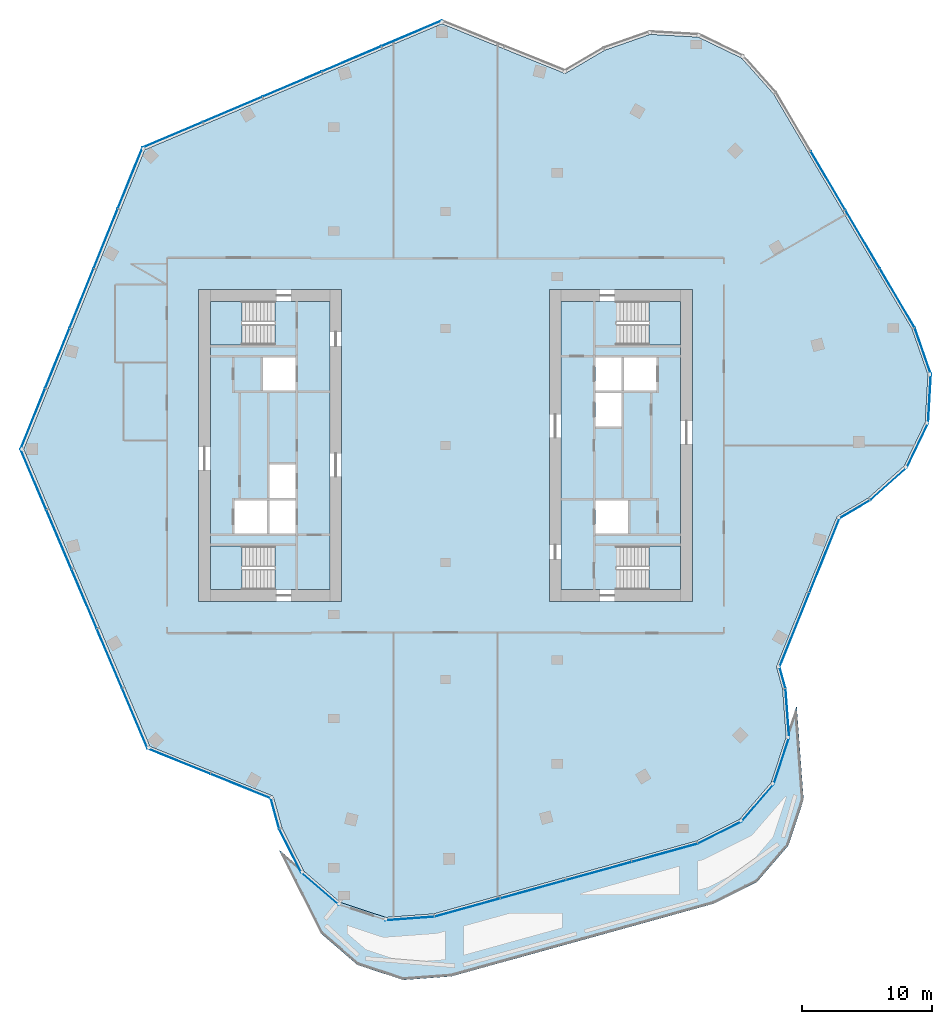
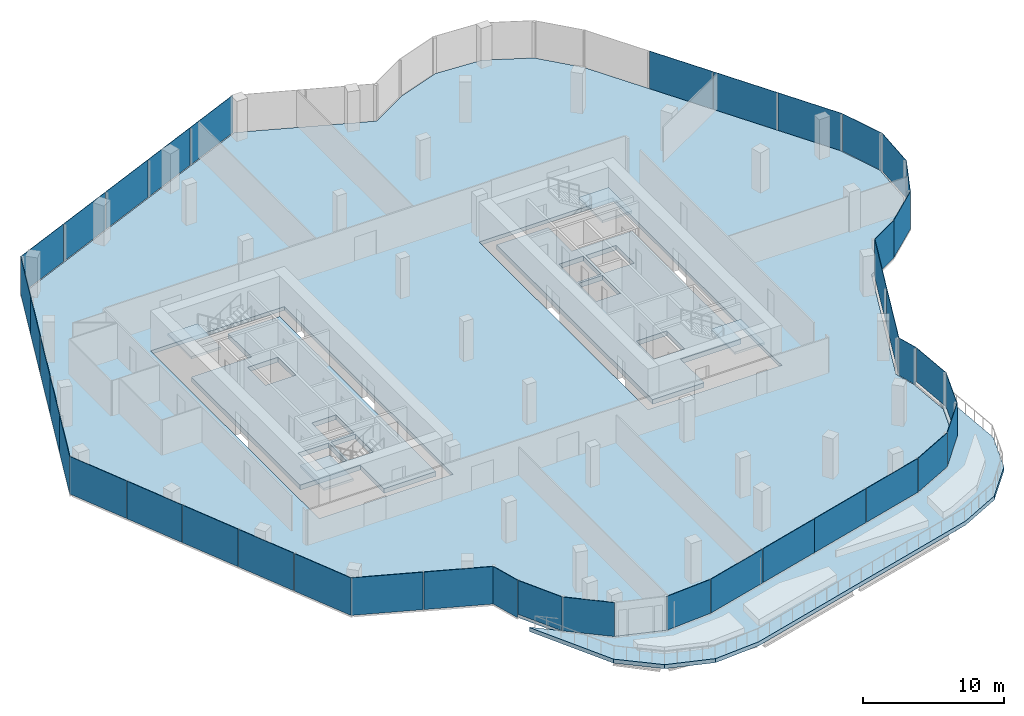
# One storey, part 10 of 16: 40 plates, 8 slabs, 25 elements without a shape of their own.
"""IFC4 building model written with IfcOpenShell, lengths in metres."""

from ifc_helpers import new_model, si_unit, direction, frame, origin, origin_2d, place, context, subcontext, project, spatial, polyline, rectangle, outline, extrude, material, layer, layer_set, type_object, element, aggregate, save


model = new_model("IFC4")

# Units and contexts
model_context = context("Model", 3, precision=1e-05, world=origin(), true_north=direction((0.0, 1.0)))
body_context = subcontext(model_context, "Body", "Model", "MODEL_VIEW")
ifc_project = project(units=[si_unit("LENGTHUNIT", "METRE"), si_unit("AREAUNIT", "SQUARE_METRE"), si_unit("VOLUMEUNIT", "CUBIC_METRE"), si_unit("PLANEANGLEUNIT", "RADIAN"), si_unit("MASSUNIT", "GRAM", prefix="KILO")], contexts=[model_context])

# Site, building, storey
site_placement = place(None, origin())
site = spatial("IfcSite", under=ifc_project, at=site_placement, CompositionType="ELEMENT")
building_placement = place(site_placement, origin())
building = spatial("IfcBuilding", under=site, at=building_placement, Name="Orlundy Tower", CompositionType="ELEMENT")
storey_placement = place(building_placement, frame((0.0, 0.0, 292.89990234375)))
storey = spatial("IfcBuildingStorey", under=building, at=storey_placement, Name="L78", CompositionType="ELEMENT", Elevation=292.89990234375)

# Curtain wall, plate
ifc_material_1 = material(Name="Aluminium bronze anodised", Category="aluminium")
curtain_wall_type = type_object("IfcCurtainWallType", Name="CW6 wall", PredefinedType="NOTDEFINED", material=ifc_material_1)
curtain_wall_1_placement = place(storey_placement, origin())
curtain_wall_1 = element("IfcCurtainWall", 1, at=curtain_wall_1_placement, inside=storey, type_object=curtain_wall_type, Name="CW6 run 00", PredefinedType="NOTDEFINED")
ifc_material_2 = material(Name="Tinted glass", Category="glass")
ifc_layer_1 = layer(ifc_material_2, 0.035888671875)
ifc_layer_set_1 = layer_set([ifc_layer_1], Name="CW6 glass panel 36")
plate_type = type_object("IfcPlateType", Name="CW6 glass panel 36", PredefinedType="CURTAIN_PANEL", material=ifc_layer_set_1)
plate_1_placement = place(storey_placement, frame((31.497314453125, -4.91650390625, -0.15966796875), z_axis=(0.0, 0.0, 1.0), x_axis=(-0.861647850116, -0.507506632853, 0.0)))
plate_1 = element("IfcPlate", 2, at=plate_1_placement, type_object=plate_type, Name="CW6 panel", PredefinedType="CURTAIN_PANEL", context=body_context, shape_type="SweptSolid", body=[
    extrude(rectangle(XDim=2.70556640625, YDim=0.035888671875, at=origin_2d()), origin(), (0.0, 0.0, 1.0), 3.260009765625),
])
aggregate(curtain_wall_1, [plate_1])

# Curtain wall, plates
curtain_wall_2_placement = place(storey_placement, origin())
curtain_wall_2 = element("IfcCurtainWall", 3, at=curtain_wall_2_placement, inside=storey, type_object=curtain_wall_type, Name="CW6 run 01", PredefinedType="NOTDEFINED")
plate_2_placement = place(storey_placement, frame((29.18115234375, -8.45068359375, -0.15966796875), z_axis=(0.0, 0.0, 1.0), x_axis=(-0.37457825326, -0.927195304229, 0.0)))
plate_2 = element("IfcPlate", 4, at=plate_2_placement, type_object=plate_type, Name="CW6 panel", PredefinedType="CURTAIN_PANEL", context=body_context, shape_type="SweptSolid", body=[
    extrude(rectangle(XDim=6.142578125, YDim=0.035888671875, at=origin_2d()), origin(), (0.0, 0.0, 1.0), 3.260009765625),
])
plate_3_placement = place(storey_placement, frame((26.861572265625, -14.192626953125, -0.15966796875), z_axis=(0.0, 0.0, 1.0), x_axis=(-0.37457825326, -0.927195304229, 0.0)))
plate_3 = element("IfcPlate", 5, at=plate_3_placement, type_object=plate_type, Name="CW6 panel", PredefinedType="CURTAIN_PANEL", context=body_context, shape_type="SweptSolid", body=[
    extrude(rectangle(XDim=6.142578125, YDim=0.035888671875, at=origin_2d()), origin(), (0.0, 0.0, 1.0), 3.260009765625),
])
aggregate(curtain_wall_2, [plate_2, plate_3])

# Curtain wall, plate
curtain_wall_3_placement = place(storey_placement, origin())
curtain_wall_3 = element("IfcCurtainWall", 6, at=curtain_wall_3_placement, inside=storey, type_object=curtain_wall_type, Name="CW6 run 02", PredefinedType="NOTDEFINED")
plate_4_placement = place(storey_placement, frame((25.93896484375, -17.86181640625, -0.15966796875), z_axis=(0.0, 0.0, 1.0), x_axis=(0.267383654766, -0.963590152069, 0.0)))
plate_4 = element("IfcPlate", 7, at=plate_4_placement, type_object=plate_type, Name="CW6 panel", PredefinedType="CURTAIN_PANEL", context=body_context, shape_type="SweptSolid", body=[
    extrude(rectangle(XDim=1.705322265625, YDim=0.035888671875, at=origin_2d()), origin(), (0.0, 0.0, 1.0), 3.260009765625),
])
aggregate(curtain_wall_3, [plate_4])

curtain_wall_4_placement = place(storey_placement, origin())
curtain_wall_4 = element("IfcCurtainWall", 8, at=curtain_wall_4_placement, inside=storey, type_object=curtain_wall_type, Name="CW6 run 03", PredefinedType="NOTDEFINED")
plate_5_placement = place(storey_placement, frame((26.314208984375, -20.601806640625, 0.16015625), z_axis=(0.0, 0.0, 1.0), x_axis=(0.073911430304, -0.997264809602, 0.0)))
plate_5 = element("IfcPlate", 9, at=plate_5_placement, type_object=plate_type, Name="CW6 panel", PredefinedType="CURTAIN_PANEL", context=body_context, shape_type="SweptSolid", body=[
    extrude(rectangle(XDim=3.748046875, YDim=0.035888671875, at=origin_2d()), origin(), (0.0, 0.0, 1.0), 2.93994140625),
])
aggregate(curtain_wall_4, [plate_5])

curtain_wall_5_placement = place(storey_placement, origin())
curtain_wall_5 = element("IfcCurtainWall", 10, at=curtain_wall_5_placement, inside=storey, type_object=curtain_wall_type, Name="CW6 run 04", PredefinedType="NOTDEFINED")
plate_6_placement = place(storey_placement, frame((25.8583984375, -24.2724609375, 0.16015625), z_axis=(0.0, 0.0, 1.0), x_axis=(-0.313231470951, -0.949676811134, 0.0)))
plate_6 = element("IfcPlate", 11, at=plate_6_placement, type_object=plate_type, Name="CW6 panel", PredefinedType="CURTAIN_PANEL", context=body_context, shape_type="SweptSolid", body=[
    extrude(rectangle(XDim=3.794921875, YDim=0.035888671875, at=origin_2d()), origin(), (0.0, 0.0, 1.0), 2.93994140625),
])
aggregate(curtain_wall_5, [plate_6])

curtain_wall_6_placement = place(storey_placement, origin())
curtain_wall_6 = element("IfcCurtainWall", 12, at=curtain_wall_6_placement, inside=storey, type_object=curtain_wall_type, Name="CW6 run 05", PredefinedType="NOTDEFINED")
plate_7_placement = place(storey_placement, frame((24.025634765625, -27.511962890625, 0.16015625), z_axis=(0.0, 0.0, 1.0), x_axis=(-0.652678052104, -0.757635374241, 0.0)))
plate_7 = element("IfcPlate", 13, at=plate_7_placement, type_object=plate_type, Name="CW6 panel", PredefinedType="CURTAIN_PANEL", context=body_context, shape_type="SweptSolid", body=[
    extrude(rectangle(XDim=3.794677734375, YDim=0.035888671875, at=origin_2d()), origin(), (0.0, 0.0, 1.0), 2.93994140625),
])
aggregate(curtain_wall_6, [plate_7])

curtain_wall_7_placement = place(storey_placement, origin())
curtain_wall_7 = element("IfcCurtainWall", 14, at=curtain_wall_7_placement, inside=storey, type_object=curtain_wall_type, Name="CW6 run 06", PredefinedType="NOTDEFINED")
plate_8_placement = place(storey_placement, frame((21.114013671875, -29.79248046875, 0.16015625), z_axis=(0.0, 0.0, 1.0), x_axis=(-0.893019858419, -0.450017257968, 0.0)))
plate_8 = element("IfcPlate", 15, at=plate_8_placement, type_object=plate_type, Name="CW6 panel", PredefinedType="CURTAIN_PANEL", context=body_context, shape_type="SweptSolid", body=[
    extrude(rectangle(XDim=3.74755859375, YDim=0.035888671875, at=origin_2d()), origin(), (0.0, 0.0, 1.0), 2.93994140625),
])
aggregate(curtain_wall_7, [plate_8])

# Curtain wall, plates
curtain_wall_8_placement = place(storey_placement, origin())
curtain_wall_8 = element("IfcCurtainWall", 16, at=curtain_wall_8_placement, inside=storey, type_object=curtain_wall_type, Name="CW6 run 07", PredefinedType="NOTDEFINED")
plate_9_placement = place(storey_placement, frame((16.87841796875, -31.3515625, 0.16015625), z_axis=(0.0, 0.0, 1.0), x_axis=(-0.963629710974, -0.267241052476, 0.0)))
plate_9 = element("IfcPlate", 17, at=plate_9_placement, type_object=plate_type, Name="CW6 panel", PredefinedType="CURTAIN_PANEL", context=body_context, shape_type="SweptSolid", body=[
    extrude(rectangle(XDim=5.2216796875, YDim=0.035888671875, at=origin_2d()), origin(), (0.0, 0.0, 1.0), 2.93994140625),
])
plate_10_placement = place(storey_placement, frame((11.808837890625, -32.75732421875, 0.16015625), z_axis=(0.0, 0.0, 1.0), x_axis=(-0.963629710974, -0.267241052476, 0.0)))
plate_10 = element("IfcPlate", 18, at=plate_10_placement, type_object=plate_type, Name="CW6 panel", PredefinedType="CURTAIN_PANEL", context=body_context, shape_type="SweptSolid", body=[
    extrude(rectangle(XDim=5.199951171875, YDim=0.035888671875, at=origin_2d()), origin(), (0.0, 0.0, 1.0), 2.93994140625),
])
plate_11_placement = place(storey_placement, frame((6.749755859375, -34.160400390625, 0.16015625), z_axis=(0.0, 0.0, 1.0), x_axis=(-0.963629710974, -0.267241052476, 0.0)))
plate_11 = element("IfcPlate", 19, at=plate_11_placement, type_object=plate_type, Name="CW6 panel", PredefinedType="CURTAIN_PANEL", context=body_context, shape_type="SweptSolid", body=[
    extrude(rectangle(XDim=5.199951171875, YDim=0.035888671875, at=origin_2d()), origin(), (0.0, 0.0, 1.0), 2.93994140625),
])
plate_12_placement = place(storey_placement, frame((1.680419921875, -35.56640625, 0.16015625), z_axis=(0.0, 0.0, 1.0), x_axis=(-0.963629710974, -0.267241052476, 0.0)))
plate_12 = element("IfcPlate", 20, at=plate_12_placement, type_object=plate_type, Name="CW6 panel", PredefinedType="CURTAIN_PANEL", context=body_context, shape_type="SweptSolid", body=[
    extrude(rectangle(XDim=5.2216796875, YDim=0.035888671875, at=origin_2d()), origin(), (0.0, 0.0, 1.0), 2.93994140625),
])
aggregate(curtain_wall_8, [plate_9, plate_10, plate_11, plate_12])

# Curtain wall, plate
curtain_wall_9_placement = place(storey_placement, origin())
curtain_wall_9 = element("IfcCurtainWall", 21, at=curtain_wall_9_placement, inside=storey, type_object=curtain_wall_type, Name="CW6 run 08", PredefinedType="NOTDEFINED")
plate_13_placement = place(storey_placement, frame((-2.753662109375, -36.41162109375, 0.16015625), z_axis=(0.0, 0.0, 1.0), x_axis=(-0.99724489086, -0.074179698392, 0.0)))
plate_13 = element("IfcPlate", 22, at=plate_13_placement, type_object=plate_type, Name="CW6 panel", PredefinedType="CURTAIN_PANEL", context=body_context, shape_type="SweptSolid", body=[
    extrude(rectangle(XDim=3.748046875, YDim=0.035888671875, at=origin_2d()), origin(), (0.0, 0.0, 1.0), 2.93994140625),
])
aggregate(curtain_wall_9, [plate_13])

curtain_wall_10_placement = place(storey_placement, origin())
curtain_wall_10 = element("IfcCurtainWall", 23, at=curtain_wall_10_placement, inside=storey, type_object=curtain_wall_type, Name="CW6 run 010", PredefinedType="NOTDEFINED")
plate_14_placement = place(storey_placement, frame((-9.663818359375, -34.123779296875, 0.16015625), z_axis=(0.0, 0.0, 1.0), x_axis=(-0.757635374241, 0.652678052104, 0.0)))
plate_14 = element("IfcPlate", 24, at=plate_14_placement, type_object=plate_type, Name="CW6 panel", PredefinedType="CURTAIN_PANEL", context=body_context, shape_type="SweptSolid", body=[
    extrude(rectangle(XDim=3.794677734375, YDim=0.035888671875, at=origin_2d()), origin(), (0.0, 0.0, 1.0), 2.93994140625),
])
aggregate(curtain_wall_10, [plate_14])

curtain_wall_11_placement = place(storey_placement, origin())
curtain_wall_11 = element("IfcCurtainWall", 25, at=curtain_wall_11_placement, inside=storey, type_object=curtain_wall_type, Name="CW6 run 011", PredefinedType="NOTDEFINED")
plate_15_placement = place(storey_placement, frame((-11.945068359375, -31.212158203125, 0.16015625), z_axis=(0.0, 0.0, 1.0), x_axis=(-0.45023237571, 0.892911422182, 0.0)))
plate_15 = element("IfcPlate", 26, at=plate_15_placement, type_object=plate_type, Name="CW6 panel", PredefinedType="CURTAIN_PANEL", context=body_context, shape_type="SweptSolid", body=[
    extrude(rectangle(XDim=3.748046875, YDim=0.035888671875, at=origin_2d()), origin(), (0.0, 0.0, 1.0), 2.93994140625),
])
aggregate(curtain_wall_11, [plate_15])

curtain_wall_12_placement = place(storey_placement, origin())
curtain_wall_12 = element("IfcCurtainWall", 27, at=curtain_wall_12_placement, inside=storey, type_object=curtain_wall_type, Name="CW6 run 012", PredefinedType="NOTDEFINED")
plate_16_placement = place(storey_placement, frame((-13.129638671875, -28.325927734375, -0.15966796875), z_axis=(0.0, 0.0, 1.0), x_axis=(-0.266890365685, 0.963726897365, 0.0)))
plate_16 = element("IfcPlate", 28, at=plate_16_placement, type_object=plate_type, Name="CW6 panel", PredefinedType="CURTAIN_PANEL", context=body_context, shape_type="SweptSolid", body=[
    extrude(rectangle(XDim=2.420166015625, YDim=0.035888671875, at=origin_2d()), origin(), (0.0, 0.0, 1.0), 3.260009765625),
])
aggregate(curtain_wall_12, [plate_16])

# Curtain wall, plates
curtain_wall_13_placement = place(storey_placement, origin())
curtain_wall_13 = element("IfcCurtainWall", 29, at=curtain_wall_13_placement, inside=storey, type_object=curtain_wall_type, Name="CW6 run 013", PredefinedType="NOTDEFINED")
plate_17_placement = place(storey_placement, frame((-15.763427734375, -26.2265625, -0.15966796875), z_axis=(0.0, 0.0, 1.0), x_axis=(-0.927218353808, 0.374521193474, 0.0)))
plate_17 = element("IfcPlate", 30, at=plate_17_placement, type_object=plate_type, Name="CW6 panel", PredefinedType="CURTAIN_PANEL", context=body_context, shape_type="SweptSolid", body=[
    extrude(rectangle(XDim=4.98388671875, YDim=0.035888671875, at=origin_2d()), origin(), (0.0, 0.0, 1.0), 3.260009765625),
])
plate_18_placement = place(storey_placement, frame((-20.5244140625, -24.303466796875, -0.15966796875), z_axis=(0.0, 0.0, 1.0), x_axis=(-0.927218353808, 0.374521193474, 0.0)))
plate_18 = element("IfcPlate", 31, at=plate_18_placement, type_object=plate_type, Name="CW6 panel", PredefinedType="CURTAIN_PANEL", context=body_context, shape_type="SweptSolid", body=[
    extrude(rectangle(XDim=5.185546875, YDim=0.035888671875, at=origin_2d()), origin(), (0.0, 0.0, 1.0), 3.260009765625),
])
aggregate(curtain_wall_13, [plate_17, plate_18])

curtain_wall_14_placement = place(storey_placement, origin())
curtain_wall_14 = element("IfcCurtainWall", 32, at=curtain_wall_14_placement, inside=storey, type_object=curtain_wall_type, Name="CW6 run 014", PredefinedType="NOTDEFINED")
plate_19_placement = place(storey_placement, frame((-23.91259765625, -21.013671875, -0.15966796875), z_axis=(0.0, 0.0, 1.0), x_axis=(-0.390726531244, 0.920506804854, 0.0)))
plate_19 = element("IfcPlate", 33, at=plate_19_placement, type_object=plate_type, Name="CW6 panel", PredefinedType="CURTAIN_PANEL", context=body_context, shape_type="SweptSolid", body=[
    extrude(rectangle(XDim=5.03759765625, YDim=0.035888671875, at=origin_2d()), origin(), (0.0, 0.0, 1.0), 3.260009765625),
])
plate_20_placement = place(storey_placement, frame((-25.877685546875, -16.38427734375, -0.15966796875), z_axis=(0.0, 0.0, 1.0), x_axis=(-0.390726531244, 0.920506804854, 0.0)))
plate_20 = element("IfcPlate", 34, at=plate_20_placement, type_object=plate_type, Name="CW6 panel", PredefinedType="CURTAIN_PANEL", context=body_context, shape_type="SweptSolid", body=[
    extrude(rectangle(XDim=4.920654296875, YDim=0.035888671875, at=origin_2d()), origin(), (0.0, 0.0, 1.0), 3.260009765625),
])
plate_21_placement = place(storey_placement, frame((-27.81982421875, -11.808837890625, -0.15966796875), z_axis=(0.0, 0.0, 1.0), x_axis=(-0.390726531244, 0.920506804854, 0.0)))
plate_21 = element("IfcPlate", 35, at=plate_21_placement, type_object=plate_type, Name="CW6 panel", PredefinedType="CURTAIN_PANEL", context=body_context, shape_type="SweptSolid", body=[
    extrude(rectangle(XDim=4.920654296875, YDim=0.035888671875, at=origin_2d()), origin(), (0.0, 0.0, 1.0), 3.260009765625),
])
plate_22_placement = place(storey_placement, frame((-29.761962890625, -7.233154296875, -0.15966796875), z_axis=(0.0, 0.0, 1.0), x_axis=(-0.390726531244, 0.920506804854, 0.0)))
plate_22 = element("IfcPlate", 36, at=plate_22_placement, type_object=plate_type, Name="CW6 panel", PredefinedType="CURTAIN_PANEL", context=body_context, shape_type="SweptSolid", body=[
    extrude(rectangle(XDim=4.920654296875, YDim=0.035888671875, at=origin_2d()), origin(), (0.0, 0.0, 1.0), 3.260009765625),
])
plate_23_placement = place(storey_placement, frame((-31.72705078125, -2.603759765625, -0.15966796875), z_axis=(0.0, 0.0, 1.0), x_axis=(-0.390726531244, 0.920506804854, 0.0)))
plate_23 = element("IfcPlate", 37, at=plate_23_placement, type_object=plate_type, Name="CW6 panel", PredefinedType="CURTAIN_PANEL", context=body_context, shape_type="SweptSolid", body=[
    extrude(rectangle(XDim=5.03759765625, YDim=0.035888671875, at=origin_2d()), origin(), (0.0, 0.0, 1.0), 3.260009765625),
])
aggregate(curtain_wall_14, [plate_19, plate_20, plate_21, plate_22, plate_23])

curtain_wall_15_placement = place(storey_placement, origin())
curtain_wall_15 = element("IfcCurtainWall", 38, at=curtain_wall_15_placement, inside=storey, type_object=curtain_wall_type, Name="CW6 run 015", PredefinedType="NOTDEFINED")
plate_24_placement = place(storey_placement, frame((-31.767822265625, 2.05029296875, -0.15966796875), z_axis=(0.0, 0.0, 1.0), x_axis=(0.374607412456, 0.927183523653, 0.0)))
plate_24 = element("IfcPlate", 39, at=plate_24_placement, type_object=plate_type, Name="CW6 panel", PredefinedType="CURTAIN_PANEL", context=body_context, shape_type="SweptSolid", body=[
    extrude(rectangle(XDim=5.03759765625, YDim=0.035888671875, at=origin_2d()), origin(), (0.0, 0.0, 1.0), 3.260009765625),
])
plate_25_placement = place(storey_placement, frame((-29.8837890625, 6.713134765625, -0.15966796875), z_axis=(0.0, 0.0, 1.0), x_axis=(0.374607412456, 0.927183523653, 0.0)))
plate_25 = element("IfcPlate", 40, at=plate_25_placement, type_object=plate_type, Name="CW6 panel", PredefinedType="CURTAIN_PANEL", context=body_context, shape_type="SweptSolid", body=[
    extrude(rectangle(XDim=4.920654296875, YDim=0.035888671875, at=origin_2d()), origin(), (0.0, 0.0, 1.0), 3.260009765625),
])
plate_26_placement = place(storey_placement, frame((-28.021728515625, 11.32177734375, -0.15966796875), z_axis=(0.0, 0.0, 1.0), x_axis=(0.374607412456, 0.927183523653, 0.0)))
plate_26 = element("IfcPlate", 41, at=plate_26_placement, type_object=plate_type, Name="CW6 panel", PredefinedType="CURTAIN_PANEL", context=body_context, shape_type="SweptSolid", body=[
    extrude(rectangle(XDim=4.920654296875, YDim=0.035888671875, at=origin_2d()), origin(), (0.0, 0.0, 1.0), 3.260009765625),
])
plate_27_placement = place(storey_placement, frame((-26.159912109375, 15.93017578125, -0.15966796875), z_axis=(0.0, 0.0, 1.0), x_axis=(0.374607412456, 0.927183523653, 0.0)))
plate_27 = element("IfcPlate", 42, at=plate_27_placement, type_object=plate_type, Name="CW6 panel", PredefinedType="CURTAIN_PANEL", context=body_context, shape_type="SweptSolid", body=[
    extrude(rectangle(XDim=4.920654296875, YDim=0.035888671875, at=origin_2d()), origin(), (0.0, 0.0, 1.0), 3.260009765625),
])
plate_28_placement = place(storey_placement, frame((-24.27587890625, 20.593017578125, -0.15966796875), z_axis=(0.0, 0.0, 1.0), x_axis=(0.374607412456, 0.927183523653, 0.0)))
plate_28 = element("IfcPlate", 43, at=plate_28_placement, type_object=plate_type, Name="CW6 panel", PredefinedType="CURTAIN_PANEL", context=body_context, shape_type="SweptSolid", body=[
    extrude(rectangle(XDim=5.03759765625, YDim=0.035888671875, at=origin_2d()), origin(), (0.0, 0.0, 1.0), 3.260009765625),
])
aggregate(curtain_wall_15, [plate_24, plate_25, plate_26, plate_27, plate_28])

curtain_wall_16_placement = place(storey_placement, origin())
curtain_wall_16 = element("IfcCurtainWall", 44, at=curtain_wall_16_placement, inside=storey, type_object=curtain_wall_type, Name="CW6 run 016", PredefinedType="NOTDEFINED")
plate_29_placement = place(storey_placement, frame((-21.013671875, 23.91259765625, -0.15966796875), z_axis=(0.0, 0.0, 1.0), x_axis=(0.920506804854, 0.390726531244, 0.0)))
plate_29 = element("IfcPlate", 45, at=plate_29_placement, type_object=plate_type, Name="CW6 panel", PredefinedType="CURTAIN_PANEL", context=body_context, shape_type="SweptSolid", body=[
    extrude(rectangle(XDim=5.03759765625, YDim=0.035888671875, at=origin_2d()), origin(), (0.0, 0.0, 1.0), 3.260009765625),
])
plate_30_placement = place(storey_placement, frame((-16.38427734375, 25.877685546875, -0.15966796875), z_axis=(0.0, 0.0, 1.0), x_axis=(0.920506804854, 0.390726531244, 0.0)))
plate_30 = element("IfcPlate", 46, at=plate_30_placement, type_object=plate_type, Name="CW6 panel", PredefinedType="CURTAIN_PANEL", context=body_context, shape_type="SweptSolid", body=[
    extrude(rectangle(XDim=4.920654296875, YDim=0.035888671875, at=origin_2d()), origin(), (0.0, 0.0, 1.0), 3.260009765625),
])
plate_31_placement = place(storey_placement, frame((-11.808837890625, 27.81982421875, -0.15966796875), z_axis=(0.0, 0.0, 1.0), x_axis=(0.920506804854, 0.390726531244, 0.0)))
plate_31 = element("IfcPlate", 47, at=plate_31_placement, type_object=plate_type, Name="CW6 panel", PredefinedType="CURTAIN_PANEL", context=body_context, shape_type="SweptSolid", body=[
    extrude(rectangle(XDim=4.920654296875, YDim=0.035888671875, at=origin_2d()), origin(), (0.0, 0.0, 1.0), 3.260009765625),
])
plate_32_placement = place(storey_placement, frame((-7.233154296875, 29.761962890625, -0.15966796875), z_axis=(0.0, 0.0, 1.0), x_axis=(0.920506804854, 0.390726531244, 0.0)))
plate_32 = element("IfcPlate", 48, at=plate_32_placement, type_object=plate_type, Name="CW6 panel", PredefinedType="CURTAIN_PANEL", context=body_context, shape_type="SweptSolid", body=[
    extrude(rectangle(XDim=4.920654296875, YDim=0.035888671875, at=origin_2d()), origin(), (0.0, 0.0, 1.0), 3.260009765625),
])
plate_33_placement = place(storey_placement, frame((-2.603759765625, 31.72705078125, -0.15966796875), z_axis=(0.0, 0.0, 1.0), x_axis=(0.920506804854, 0.390726531244, 0.0)))
plate_33 = element("IfcPlate", 49, at=plate_33_placement, type_object=plate_type, Name="CW6 panel", PredefinedType="CURTAIN_PANEL", context=body_context, shape_type="SweptSolid", body=[
    extrude(rectangle(XDim=5.03759765625, YDim=0.035888671875, at=origin_2d()), origin(), (0.0, 0.0, 1.0), 3.260009765625),
])
aggregate(curtain_wall_16, [plate_29, plate_30, plate_31, plate_32, plate_33])

curtain_wall_17_placement = place(storey_placement, origin())
curtain_wall_17 = element("IfcCurtainWall", 50, at=curtain_wall_17_placement, inside=storey, type_object=curtain_wall_type, Name="CW6 run 023", PredefinedType="NOTDEFINED")
plate_34_placement = place(storey_placement, frame((29.447021484375, 20.392333984375, -0.15966796875), z_axis=(0.0, 0.0, 1.0), x_axis=(0.507531980737, -0.861632919827, 0.0)))
plate_34 = element("IfcPlate", 51, at=plate_34_placement, type_object=plate_type, Name="CW6 panel", PredefinedType="CURTAIN_PANEL", context=body_context, shape_type="SweptSolid", body=[
    extrude(rectangle(XDim=5.199951171875, YDim=0.035888671875, at=origin_2d()), origin(), (0.0, 0.0, 1.0), 3.260009765625),
])
plate_35_placement = place(storey_placement, frame((32.111572265625, 15.868896484375, -0.15966796875), z_axis=(0.0, 0.0, 1.0), x_axis=(0.507531980737, -0.861632919827, 0.0)))
plate_35 = element("IfcPlate", 52, at=plate_35_placement, type_object=plate_type, Name="CW6 panel", PredefinedType="CURTAIN_PANEL", context=body_context, shape_type="SweptSolid", body=[
    extrude(rectangle(XDim=5.199951171875, YDim=0.035888671875, at=origin_2d()), origin(), (0.0, 0.0, 1.0), 3.260009765625),
])
plate_36_placement = place(storey_placement, frame((34.781494140625, 11.3359375, -0.15966796875), z_axis=(0.0, 0.0, 1.0), x_axis=(0.507531980737, -0.861632919827, 0.0)))
plate_36 = element("IfcPlate", 53, at=plate_36_placement, type_object=plate_type, Name="CW6 panel", PredefinedType="CURTAIN_PANEL", context=body_context, shape_type="SweptSolid", body=[
    extrude(rectangle(XDim=5.2216796875, YDim=0.035888671875, at=origin_2d()), origin(), (0.0, 0.0, 1.0), 3.260009765625),
])
aggregate(curtain_wall_17, [plate_34, plate_35, plate_36])

# Curtain wall, plate
curtain_wall_18_placement = place(storey_placement, origin())
curtain_wall_18 = element("IfcCurtainWall", 54, at=curtain_wall_18_placement, inside=storey, type_object=curtain_wall_type, Name="CW6 run 024", PredefinedType="NOTDEFINED")
plate_37_placement = place(storey_placement, frame((36.745361328125, 7.271728515625, -0.15966796875), z_axis=(0.0, 0.0, 1.0), x_axis=(0.329629404105, -0.944110404534, 0.0)))
plate_37 = element("IfcPlate", 55, at=plate_37_placement, type_object=plate_type, Name="CW6 panel", PredefinedType="CURTAIN_PANEL", context=body_context, shape_type="SweptSolid", body=[
    extrude(rectangle(XDim=3.748046875, YDim=0.035888671875, at=origin_2d()), origin(), (0.0, 0.0, 1.0), 3.260009765625),
])
aggregate(curtain_wall_18, [plate_37])

curtain_wall_19_placement = place(storey_placement, origin())
curtain_wall_19 = element("IfcCurtainWall", 56, at=curtain_wall_19_placement, inside=storey, type_object=curtain_wall_type, Name="CW6 run 025", PredefinedType="NOTDEFINED")
plate_38_placement = place(storey_placement, frame((37.255615234375, 3.60791015625, -0.15966796875), z_axis=(0.0, 0.0, 1.0), x_axis=(-0.056650299193, -0.998394082315, 0.0)))
plate_38 = element("IfcPlate", 57, at=plate_38_placement, type_object=plate_type, Name="CW6 panel", PredefinedType="CURTAIN_PANEL", context=body_context, shape_type="SweptSolid", body=[
    extrude(rectangle(XDim=3.795166015625, YDim=0.035888671875, at=origin_2d()), origin(), (0.0, 0.0, 1.0), 3.260009765625),
])
aggregate(curtain_wall_19, [plate_38])

curtain_wall_20_placement = place(storey_placement, origin())
curtain_wall_20 = element("IfcCurtainWall", 58, at=curtain_wall_20_placement, inside=storey, type_object=curtain_wall_type, Name="CW6 run 026", PredefinedType="NOTDEFINED")
plate_39_placement = place(storey_placement, frame((36.323974609375, 0.004638671875, -0.15966796875), z_axis=(0.0, 0.0, 1.0), x_axis=(-0.434432108019, -0.900704581715, 0.0)))
plate_39 = element("IfcPlate", 59, at=plate_39_placement, type_object=plate_type, Name="CW6 panel", PredefinedType="CURTAIN_PANEL", context=body_context, shape_type="SweptSolid", body=[
    extrude(rectangle(XDim=3.794189453125, YDim=0.035888671875, at=origin_2d()), origin(), (0.0, 0.0, 1.0), 3.260009765625),
])
aggregate(curtain_wall_20, [plate_39])

curtain_wall_21_placement = place(storey_placement, origin())
curtain_wall_21 = element("IfcCurtainWall", 60, at=curtain_wall_21_placement, inside=storey, type_object=curtain_wall_type, Name="CW6 run 027", PredefinedType="NOTDEFINED")
plate_40_placement = place(storey_placement, frame((34.1015625, -2.952392578125, -0.15966796875), z_axis=(0.0, 0.0, 1.0), x_axis=(-0.746023794818, -0.665919287575, 0.0)))
plate_40 = element("IfcPlate", 61, at=plate_40_placement, type_object=plate_type, Name="CW6 panel", PredefinedType="CURTAIN_PANEL", context=body_context, shape_type="SweptSolid", body=[
    extrude(rectangle(XDim=3.74853515625, YDim=0.035888671875, at=origin_2d()), origin(), (0.0, 0.0, 1.0), 3.260009765625),
])
aggregate(curtain_wall_21, [plate_40])

# Slabs
ifc_material_3 = material(Name="Concrete C50/60", Category="concrete")
ifc_layer_2 = layer(ifc_material_3, 0.409912109375)
ifc_layer_set_2 = layer_set([ifc_layer_2], Name="Core Floor Slab 410")
slab_type_1 = type_object("IfcSlabType", Name="Core Floor Slab 410", PredefinedType="FLOOR", material=ifc_layer_set_2)
slab_1_placement = place(storey_placement, frame((0.0, 0.0, -0.409912109375)))
element("IfcSlab", 62, at=slab_1_placement, inside=storey, type_object=slab_type_1, Name="Core floor W60", PredefinedType="FLOOR", context=body_context, shape_type="SweptSolid", body=[
    extrude(outline(polyline([(-18.10009765625, 7.75), (-13.14501953125, 7.75), (-13.14501953125, 11.10009765625), (-8.89990234375, 11.10009765625), (-8.89990234375, -11.10009765625), (-13.14501953125, -11.10009765625), (-13.14501953125, -7.75), (-18.10009765625, -7.75), (-18.10009765625, 7.75)]), holes=[polyline([(-13.5400390625, -4.22509765625), (-13.5400390625, -6.77490234375), (-11.5400390625, -6.77490234375), (-11.5400390625, -4.22509765625), (-13.5400390625, -4.22509765625)]), polyline([(-13.739990234375, -4.22509765625), (-16.239990234375, -4.22509765625), (-16.239990234375, -6.77490234375), (-13.739990234375, -6.77490234375), (-13.739990234375, -4.22509765625)]), polyline([(-11.5400390625, -4.02490234375), (-11.5400390625, -1.47509765625), (-13.5400390625, -1.47509765625), (-13.5400390625, -4.02490234375), (-11.5400390625, -4.02490234375)]), polyline([(-14.0400390625, 4.22509765625), (-11.5400390625, 4.22509765625), (-11.5400390625, 6.77490234375), (-14.0400390625, 6.77490234375), (-14.0400390625, 4.22509765625)])]), origin(), (0.0, 0.0, 1.0), 0.409912109375),
])
slab_2_placement = place(storey_placement, frame((0.0, 0.0, -0.409912109375)))
element("IfcSlab", 63, at=slab_2_placement, inside=storey, type_object=slab_type_1, Name="Core floor E60", PredefinedType="FLOOR", context=body_context, shape_type="SweptSolid", body=[
    extrude(outline(polyline([(18.10009765625, -7.75), (13.14501953125, -7.75), (13.14501953125, -11.10009765625), (8.89990234375, -11.10009765625), (8.89990234375, 11.10009765625), (13.14501953125, 11.10009765625), (13.14501953125, 7.75), (18.10009765625, 7.75), (18.10009765625, -7.75)]), holes=[polyline([(13.5400390625, 4.22509765625), (13.5400390625, 6.77490234375), (11.5400390625, 6.77490234375), (11.5400390625, 4.22509765625), (13.5400390625, 4.22509765625)]), polyline([(13.739990234375, 4.22509765625), (16.239990234375, 4.22509765625), (16.239990234375, 6.77490234375), (13.739990234375, 6.77490234375), (13.739990234375, 4.22509765625)]), polyline([(11.5400390625, 4.02490234375), (11.5400390625, 1.47509765625), (13.5400390625, 1.47509765625), (13.5400390625, 4.02490234375), (11.5400390625, 4.02490234375)]), polyline([(14.0400390625, -4.22509765625), (11.5400390625, -4.22509765625), (11.5400390625, -6.77490234375), (14.0400390625, -6.77490234375), (14.0400390625, -4.22509765625)])]), origin(), (0.0, 0.0, 1.0), 0.409912109375),
])

# Stair, slab
ifc_material_4 = material(Name="Concrete C50/60", Category="concrete")
stair_type = type_object("IfcStairType", Name="Exit Stair 20 risers", PredefinedType="HALF_TURN_STAIR", material=ifc_material_4)
stair_1_placement = place(storey_placement, origin())
stair_1 = element("IfcStair", 64, at=stair_1_placement, inside=storey, type_object=stair_type, Name="L78 Exit Stair ST-W1", PredefinedType="HALF_TURN_STAIR")
ifc_material_5 = material(Name="Concrete C50/60", Category="concrete")
ifc_layer_3 = layer(ifc_material_5, 0.199951171875)
ifc_layer_set_3 = layer_set([ifc_layer_3], Name="Exit Stair Landing")
slab_type_2 = type_object("IfcSlabType", Name="Exit Stair Landing", PredefinedType="LANDING", material=ifc_layer_set_3)
slab_3_placement = place(storey_placement, frame((0.0, 0.0, 1.550048828125)))
slab_3 = element("IfcSlab", 65, at=slab_3_placement, type_object=slab_type_2, Name="ST-W1 landing 1", PredefinedType="LANDING", context=body_context, shape_type="SweptSolid", body=[
    extrude(outline(polyline([(-15.659912109375, 11.10009765625), (-18.10009765625, 11.10009765625), (-18.10009765625, 7.75), (-15.659912109375, 7.75), (-15.659912109375, 11.10009765625)])), origin(), (0.0, 0.0, 1.0), 0.199951171875),
])
aggregate(stair_1, [slab_3])

stair_2_placement = place(storey_placement, origin())
stair_2 = element("IfcStair", 66, at=stair_2_placement, inside=storey, type_object=stair_type, Name="L78 Exit Stair ST-W2", PredefinedType="HALF_TURN_STAIR")
slab_4_placement = place(storey_placement, frame((0.0, 0.0, 1.550048828125)))
slab_4 = element("IfcSlab", 67, at=slab_4_placement, type_object=slab_type_2, Name="ST-W2 landing 1", PredefinedType="LANDING", context=body_context, shape_type="SweptSolid", body=[
    extrude(outline(polyline([(-15.659912109375, -7.75), (-18.10009765625, -7.75), (-18.10009765625, -11.10009765625), (-15.659912109375, -11.10009765625), (-15.659912109375, -7.75)])), origin(), (0.0, 0.0, 1.0), 0.199951171875),
])
aggregate(stair_2, [slab_4])

stair_3_placement = place(storey_placement, origin())
stair_3 = element("IfcStair", 68, at=stair_3_placement, inside=storey, type_object=stair_type, Name="L78 Exit Stair ST-E1", PredefinedType="HALF_TURN_STAIR")
slab_5_placement = place(storey_placement, frame((0.0, 0.0, 1.550048828125)))
slab_5 = element("IfcSlab", 69, at=slab_5_placement, type_object=slab_type_2, Name="ST-E1 landing 1", PredefinedType="LANDING", context=body_context, shape_type="SweptSolid", body=[
    extrude(outline(polyline([(15.659912109375, -11.10009765625), (18.10009765625, -11.10009765625), (18.10009765625, -7.75), (15.659912109375, -7.75), (15.659912109375, -11.10009765625)])), origin(), (0.0, 0.0, 1.0), 0.199951171875),
])
aggregate(stair_3, [slab_5])

stair_4_placement = place(storey_placement, origin())
stair_4 = element("IfcStair", 70, at=stair_4_placement, inside=storey, type_object=stair_type, Name="L78 Exit Stair ST-E2", PredefinedType="HALF_TURN_STAIR")
slab_6_placement = place(storey_placement, frame((0.0, 0.0, 1.550048828125)))
slab_6 = element("IfcSlab", 71, at=slab_6_placement, type_object=slab_type_2, Name="ST-E2 landing 1", PredefinedType="LANDING", context=body_context, shape_type="SweptSolid", body=[
    extrude(outline(polyline([(15.659912109375, 7.75), (18.10009765625, 7.75), (18.10009765625, 11.10009765625), (15.659912109375, 11.10009765625), (15.659912109375, 7.75)])), origin(), (0.0, 0.0, 1.0), 0.199951171875),
])
aggregate(stair_4, [slab_6])

# Slabs
ifc_material_6 = material(Name="Concrete C45/55", Category="concrete")
ifc_layer_4 = layer(ifc_material_6, 0.320068359375)
ifc_layer_set_4 = layer_set([ifc_layer_4], Name="FLOOR SLAB 320 C45/55")
slab_type_3 = type_object("IfcSlabType", Name="FLOOR SLAB 320 C45/55", PredefinedType="FLOOR", material=ifc_layer_set_4)
slab_7_placement = place(storey_placement, frame((0.0, 0.0, -0.31982421875)))
element("IfcSlab", 72, at=slab_7_placement, inside=storey, type_object=slab_type_3, Name="Floor slab L78", PredefinedType="FLOOR", context=body_context, shape_type="SweptSolid", body=[
    extrude(outline(polyline([(30.154052734375, -5.449951171875), (25.47705078125, -17.027099609375), (25.9541015625, -18.74609375), (26.22802734375, -22.443115234375), (25.06689453125, -25.962890625), (22.64794921875, -28.77099609375), (19.337890625, -30.43896484375), (-0.89794921875, -36.051025390625), (-4.594970703125, -36.325927734375), (-8.114990234375, -35.1650390625), (-10.923095703125, -32.74609375), (-12.592041015625, -29.43603515625), (-13.26806640625, -26.9951171875), (-22.760009765625, -23.160888671875), (-32.470947265625, -0.282958984375), (-23.160888671875, 22.760009765625), (-0.282958984375, 32.470947265625), (9.2080078125, 28.635986328125), (12.251953125, 30.428955078125), (15.7509765625, 31.65087890625), (19.451904296875, 31.44091796875), (22.7900390625, 29.830078125), (25.259033203125, 27.06494140625), (35.9169921875, 8.970947265625), (37.138916015625, 5.470947265625), (36.928955078125, 1.77001953125), (35.319091796875, -1.568115234375), (32.552978515625, -4.037109375), (30.154052734375, -5.449951171875)]), holes=[polyline([(-8.0, -12.0), (-8.0, 12.0), (-19.0, 12.0), (-19.0, -12.0), (-8.0, -12.0)]), polyline([(19.0, -12.0), (19.0, 12.0), (8.0, 12.0), (8.0, -12.0), (19.0, -12.0)])]), origin(), (0.0, 0.0, 1.0), 0.31982421875),
])
ifc_material_7 = material(Name="Concrete C45/55", Category="concrete")
ifc_layer_5 = layer(ifc_material_7, 0.35009765625)
ifc_layer_set_5 = layer_set([ifc_layer_5], Name="TERRACE SLAB 350 C45/55")
slab_type_4 = type_object("IfcSlabType", Name="TERRACE SLAB 350 C45/55", PredefinedType="ROOF", material=ifc_layer_set_5)
slab_8_placement = place(storey_placement, frame((0.0, 0.0, -0.349853515625)))
element("IfcSlab", 73, at=slab_8_placement, inside=storey, type_object=slab_type_4, Name="Terrace slab L78-1", PredefinedType="ROOF", context=body_context, shape_type="SweptSolid", body=[
    extrude(outline(polyline([(-12.80908203125, -31.1689453125), (-12.780029296875, -31.14599609375), (-8.114990234375, -35.1650390625), (-4.594970703125, -36.325927734375), (-0.89794921875, -36.051025390625), (19.337890625, -30.43896484375), (22.64794921875, -28.77099609375), (25.06689453125, -25.962890625), (26.998046875, -20.112060546875), (27.035888671875, -20.115966796875), (27.56396484375, -27.260986328125), (26.404052734375, -30.781005859375), (23.98388671875, -33.589111328125), (20.674072265625, -35.257080078125), (0.43798828125, -40.868896484375), (-3.259033203125, -41.14404296875), (-6.779052734375, -39.98291015625), (-9.5869140625, -37.56396484375), (-12.80908203125, -31.1689453125)])), origin(), (0.0, 0.0, 1.0), 0.349853515625),
])

save(model, "model.ifc")
